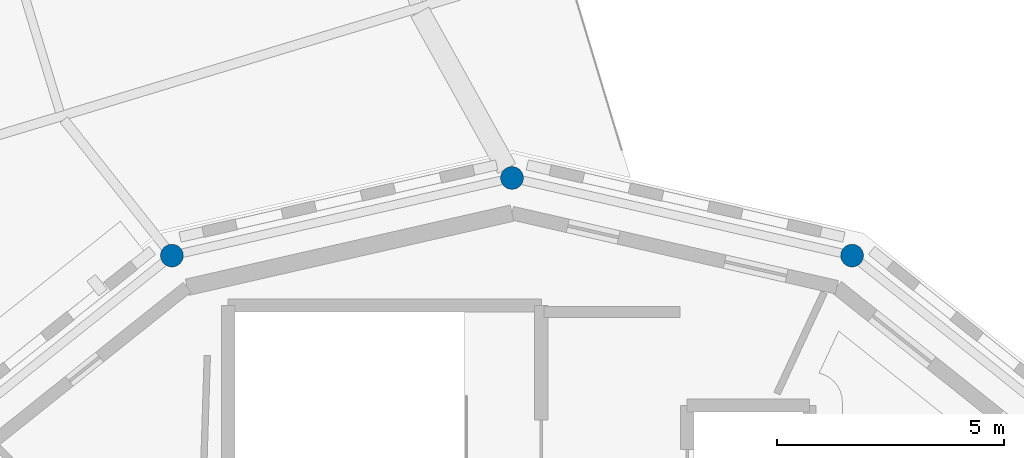
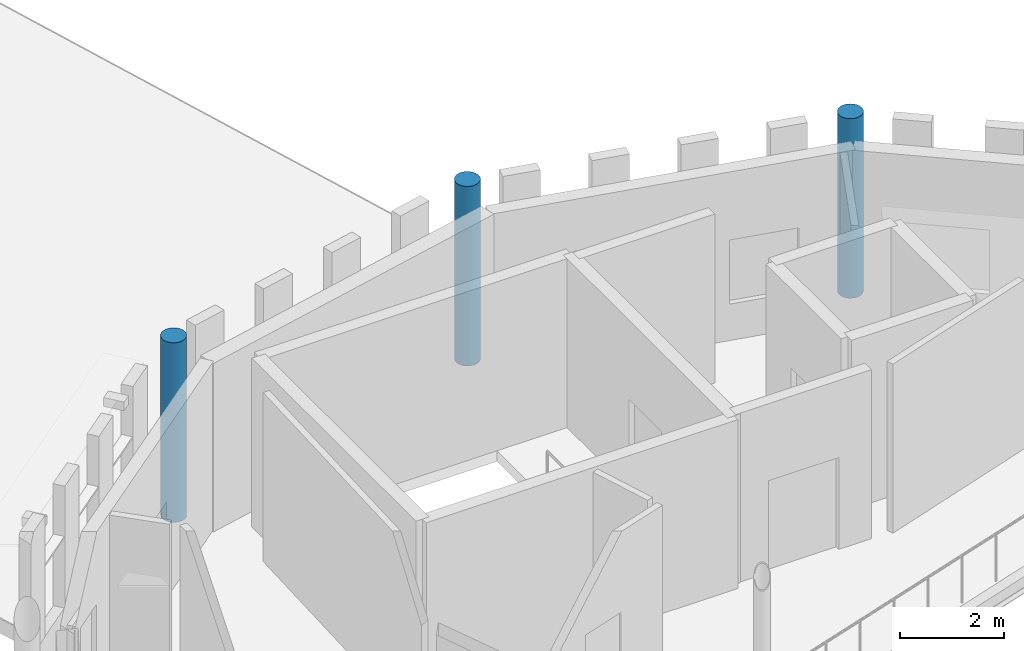
# One storey, part 3 of 68: 3 columns.
"""IFC4 building model written with IfcOpenShell, lengths in metres."""

import ifcopenshell
import ifcopenshell.guid

model = None  # the IFC model being written
_history = None  # IfcOwnerHistory: only IFC2X3 demands one
_inside = {}  # id of a spatial element -> (the spatial element, [elements in it])
_under = {}  # id of a project, library or spatial element -> (it, [spatial elements below it])
_declared = {}  # id of a project -> (the project, [libraries it declares])
_typed = {}  # id of a type object -> (the type object, [elements of that type])
_made_of = {}  # id of a material, layer set ... -> (it, [elements and type objects made of it])


def new_model(schema):
    """Start an empty IFC model of exactly this schema.

    Asked for "IFC4X3", IfcOpenShell would pick the latest addendum, in which some entities
    have other attributes; the version numbers below select the first issue.
    IFC2X3 requires an IfcOwnerHistory on every rooted entity: one is made here for all.
    """
    global model, _history
    if schema == "IFC4X3":
        model = ifcopenshell.file(schema_version=(4, 3, 0, 0))
    else:
        model = ifcopenshell.file(schema=schema)
    _inside.clear()
    _under.clear()
    _declared.clear()
    _typed.clear()
    _made_of.clear()
    _history = None
    if model.schema == "IFC2X3":
        org = make("IfcOrganization", Name="unknown")
        user = make(
            "IfcPersonAndOrganization",
            ThePerson=make("IfcPerson", FamilyName="unknown"),
            TheOrganization=org,
        )
        app = make(
            "IfcApplication",
            ApplicationDeveloper=org,
            Version="unknown",
            ApplicationFullName="unknown",
            ApplicationIdentifier="unknown",
        )
        _history = make(
            "IfcOwnerHistory",
            OwningUser=user,
            OwningApplication=app,
            ChangeAction="ADDED",
            CreationDate=0,
        )
    return model


def make(cls, **values):
    """One entity of the class cls with the attributes given. An attribute that is None is left unset."""
    return model.create_entity(
        cls, **{name: value for name, value in values.items() if value is not None}
    )


def rooted(cls, **values):
    """An entity with a GlobalId (a new one), such as an element, a storey or a relation."""
    return make(cls, GlobalId=ifcopenshell.guid.new(), OwnerHistory=_history, **values)


def si_unit(unit_type, name, prefix=None):
    """IfcSIUnit, for example si_unit("LENGTHUNIT", "METRE", prefix="MILLI")."""
    return make("IfcSIUnit", UnitType=unit_type, Prefix=prefix, Name=name)


def assignment(units):
    """IfcUnitAssignment: the units of a project."""
    return None if units is None else make("IfcUnitAssignment", Units=units)


def point(xyz):
    """IfcCartesianPoint."""
    return None if xyz is None else make("IfcCartesianPoint", Coordinates=xyz)


def direction(xyz):
    """IfcDirection."""
    return None if xyz is None else make("IfcDirection", DirectionRatios=xyz)


def frame(location, z_axis=None, x_axis=None):
    """IfcAxis2Placement3D, a coordinate frame: its origin and axes. An axis left out is left unset."""
    return make(
        "IfcAxis2Placement3D",
        Location=point(location),
        Axis=direction(z_axis),
        RefDirection=direction(x_axis),
    )


def frame_2d(location, x_axis=None):
    """IfcAxis2Placement2D, a coordinate frame in the plane: its origin and x axis."""
    return make(
        "IfcAxis2Placement2D", Location=point(location), RefDirection=direction(x_axis)
    )


def origin():
    """The frame at (0, 0, 0) with its axes left unset."""
    return frame((0.0, 0.0, 0.0))


def origin_2d():
    """The frame at (0, 0) in the plane with its x axis left unset."""
    return frame_2d((0.0, 0.0))


def place(relative_to, where):
    """IfcLocalPlacement: puts the frame where relative to a parent placement (None: the world)."""
    return make(
        "IfcLocalPlacement", PlacementRelTo=relative_to, RelativePlacement=where
    )


def context(
    kind, dimensions, precision=None, world=None, true_north=None, identifier=None
):
    """IfcGeometricRepresentationContext, for example the 3D "Model" context."""
    return make(
        "IfcGeometricRepresentationContext",
        ContextIdentifier=identifier,
        ContextType=kind,
        CoordinateSpaceDimension=dimensions,
        Precision=precision,
        WorldCoordinateSystem=world,
        TrueNorth=true_north,
    )


def subcontext(parent, identifier, kind, view, scale=None):
    """IfcGeometricRepresentationSubContext, for example "Body" below "Model"."""
    return make(
        "IfcGeometricRepresentationSubContext",
        ContextIdentifier=identifier,
        ContextType=kind,
        ParentContext=parent,
        TargetScale=scale,
        TargetView=view,
    )


def project(units=None, contexts=None):
    """IfcProject with its units and contexts."""
    return rooted(
        "IfcProject",
        Name="project",
        RepresentationContexts=contexts,
        UnitsInContext=assignment(units),
    )


def spatial(cls, under=None, at=None, **own):
    """A site, building, storey or space (cls), placed at a placement, below another one or the project."""
    s = rooted(cls, ObjectPlacement=at, **own)
    if under is not None:
        _under.setdefault(under.id(), (under, []))[1].append(s)
    return s


def profile(cls, at=None, kind="AREA", **sizes):
    """A parametric profile (cls). Its sizes go by their IFC names, for example OverallWidth=200.0."""
    return make(cls, ProfileType=kind, Position=at, **sizes)


def circle(**sizes):
    """IfcCircleProfileDef."""
    return profile("IfcCircleProfileDef", **sizes)


def extrude(swept, where, along, depth):
    """IfcExtrudedAreaSolid: the profile swept, set in the frame where, extruded along a direction by depth."""
    return make(
        "IfcExtrudedAreaSolid",
        SweptArea=swept,
        Position=where,
        ExtrudedDirection=direction(along),
        Depth=depth,
    )


def shape(context_of_items, identifier, shape_type, items):
    """IfcShapeRepresentation: the items that make up one representation, for example the "Body"."""
    return make(
        "IfcShapeRepresentation",
        ContextOfItems=context_of_items,
        RepresentationIdentifier=identifier,
        RepresentationType=shape_type,
        Items=items,
    )


def material(Name=None, Category=None):
    """IfcMaterial."""
    return make("IfcMaterial", Name=Name, Category=Category)


def material_profile(
    of_material, cross_section, Name=None, Category=None, Priority=None
):
    """IfcMaterialProfile: a cross section and its material."""
    return make(
        "IfcMaterialProfile",
        Name=Name,
        Material=of_material,
        Profile=cross_section,
        Priority=Priority,
        Category=Category,
    )


def profile_set(profiles, Name=None, composite=None):
    """IfcMaterialProfileSet."""
    return make(
        "IfcMaterialProfileSet",
        Name=Name,
        MaterialProfiles=profiles,
        CompositeProfile=composite,
    )


def made_of(thing, what):
    """Note that an element or type object is made of a material, layer set ...; save() writes the relation."""
    if what is not None:
        _made_of.setdefault(what.id(), (what, []))[1].append(thing)
    return thing


def type_object(cls, material=None, **own):
    """A type object (cls), such as IfcWallType, which elements share."""
    return made_of(rooted(cls, **own), material)


def element(
    cls,
    number,
    at=None,
    inside=None,
    cuts=None,
    type_object=None,
    material=None,
    context=None,
    identifier="Body",
    shape_type=None,
    held_by="IfcProductDefinitionShape",
    body=None,
    shapes=None,
    **own,
):
    """One element of the class cls, such as IfcWall. Its Tag is "e" and its number.

    at: its placement. inside: the storey or other place that contains it. cuts: it is an
    opening in that element (IfcRelVoidsElement). A single representation is given by context,
    identifier, shape_type and body (its items); several are given by shapes. held_by: the class
    of the entity that holds the representations. save() writes the other relations.
    """
    e = rooted(cls, Tag="e%d" % number, ObjectPlacement=at, **own)
    if body is not None:
        shapes = [shape(context, identifier, shape_type, body)]
    if shapes is not None:
        e.Representation = make(held_by, Representations=shapes)
    if inside is not None:
        _inside.setdefault(inside.id(), (inside, []))[1].append(e)
    if cuts is not None:
        rooted(
            "IfcRelVoidsElement", RelatingBuildingElement=cuts, RelatedOpeningElement=e
        )
    if type_object is not None:
        _typed.setdefault(type_object.id(), (type_object, []))[1].append(e)
    return made_of(e, material)


def aggregate(whole, parts):
    """IfcRelAggregates: a whole, such as a stair, and the parts it consists of."""
    return rooted("IfcRelAggregates", RelatingObject=whole, RelatedObjects=parts)


def save(model, path):
    """Write the relations noted so far, then the file.

    IfcRelAggregates (storeys below a building ...), IfcRelContainedInSpatialStructure (elements
    in a storey), IfcRelDefinesByType, IfcRelAssociatesMaterial and IfcRelDeclares: one each for
    every whole, place, type object, material and project.
    """
    for whole, parts in _under.values():
        aggregate(whole, parts)
    for where, things in _inside.values():
        rooted(
            "IfcRelContainedInSpatialStructure",
            RelatedElements=things,
            RelatingStructure=where,
        )
    for kind, things in _typed.values():
        rooted("IfcRelDefinesByType", RelatedObjects=things, RelatingType=kind)
    for what, things in _made_of.values():
        rooted("IfcRelAssociatesMaterial", RelatedObjects=things, RelatingMaterial=what)
    for by, libraries in _declared.values():
        rooted("IfcRelDeclares", RelatingContext=by, RelatedDefinitions=libraries)
    model.write(path)


model = new_model("IFC4")

# Units and contexts
model_context = context("Model", 3, precision=1e-05, world=origin(), true_north=direction((0.0, 1.0)))
body_context = subcontext(model_context, "Body", "Model", "MODEL_VIEW")
ifc_project = project(units=[si_unit("LENGTHUNIT", "METRE"), si_unit("AREAUNIT", "SQUARE_METRE"), si_unit("VOLUMEUNIT", "CUBIC_METRE"), si_unit("PLANEANGLEUNIT", "RADIAN"), si_unit("MASSUNIT", "GRAM", prefix="KILO")], contexts=[model_context])

# Site, building, storey
site_placement = place(None, origin())
site = spatial("IfcSite", under=ifc_project, at=site_placement, CompositionType="ELEMENT")
building_placement = place(site_placement, origin())
building = spatial("IfcBuilding", under=site, at=building_placement, Name="Wrenclough Park School", CompositionType="ELEMENT")
storey_placement = place(building_placement, frame((0.0, 0.0, 12.60009765625)))
storey = spatial("IfcBuildingStorey", under=building, at=storey_placement, Name="L03", CompositionType="ELEMENT", Elevation=12.60009765625)

# Columns
ifc_material = material(Name="Concrete C40/50", Category="concrete")
ifc_material_profile = material_profile(ifc_material, circle(Radius=0.25, at=origin_2d()), Name="RC COL D500")
ifc_profile_set = profile_set([ifc_material_profile], Name="Concrete C40/50")
column_type = type_object("IfcColumnType", Name="STR-COL-RCD500", PredefinedType="COLUMN", material=ifc_profile_set)
for number, where, z_axis, x_axis, name in (
    (1, (43.984619140625, 39.041748046875, 0.0), (0.0, 0.0, 1.0), (-0.90100131981, 0.43381634559, 0.0), "D2 L03 column D2-OUT-03"),
    (2, (36.5, 40.75, 0.0), (0.0, 0.0, 1.0), (-1.0, 0.0, 0.0), "D2 L03 column D2-OUT-04"),
    (3, (29.015380859375, 39.041748046875, 0.0), (0.0, 0.0, 1.0), (-0.90100131981, -0.43381634559, 0.0), "D2 L03 column D2-OUT-05"),
):
    element("IfcColumn", number, at=place(storey_placement, frame(where, z_axis=z_axis, x_axis=x_axis)), inside=storey, type_object=column_type, Name=name, PredefinedType="COLUMN", context=body_context, shape_type="SweptSolid", body=[
        extrude(circle(Radius=0.25, at=origin_2d()), origin(), (0.0, 0.0, 1.0), 4.199951171875),
    ])

save(model, "model.ifc")
